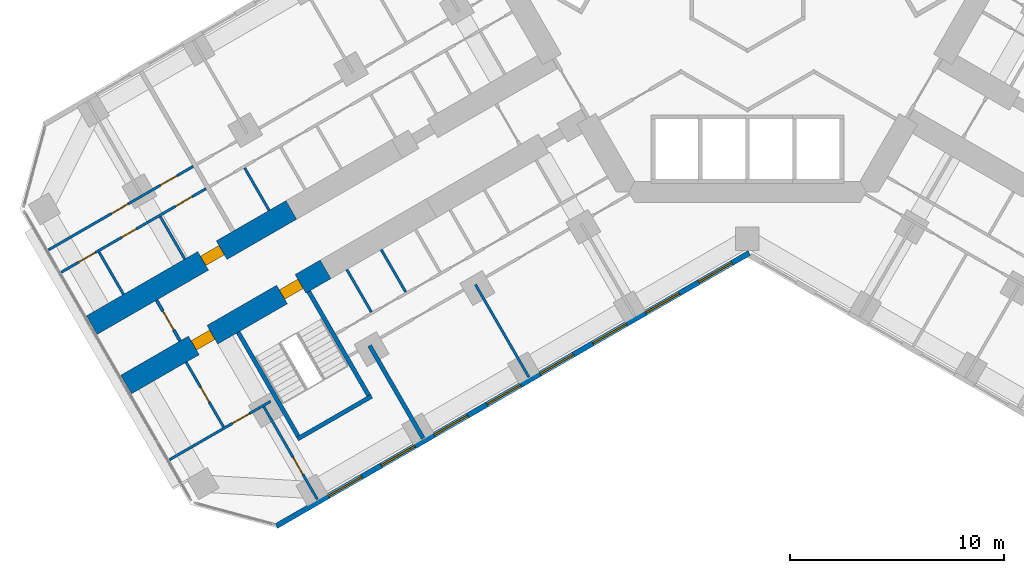
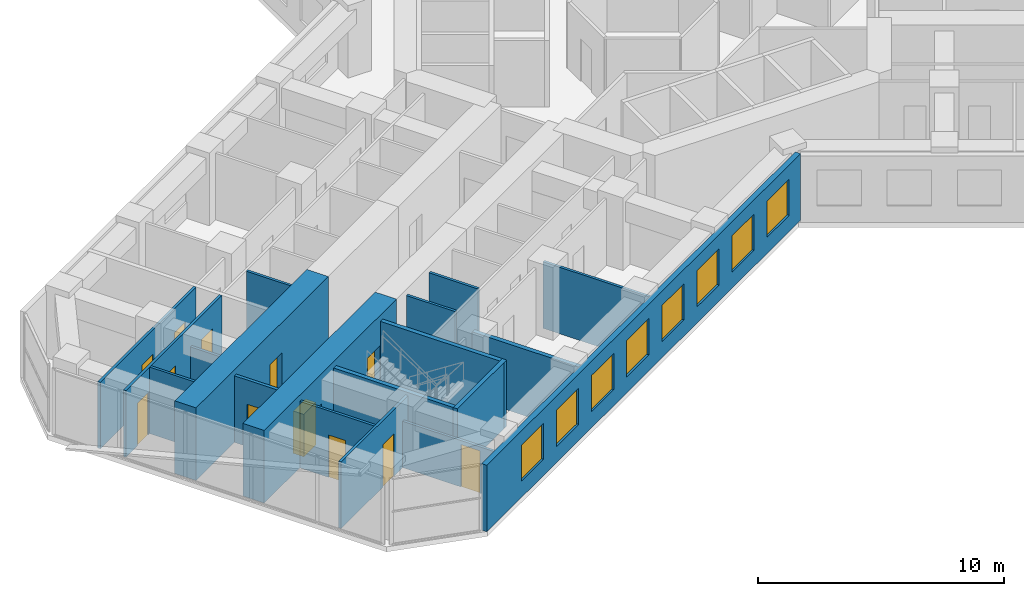
# One storey, part 10 of 21: 19 walls, 12 doors, 8 windows, 20 openings.
"""IFC4 building model written with IfcOpenShell, lengths in metres."""

from ifc_helpers import new_model, si_unit, direction, frame, frame_2d, origin, place, context, subcontext, project, spatial, rectangle, extrude, material, layer, layer_set, type_object, element, fill, save


model = new_model("IFC4")

# Units and contexts
model_context = context("Model", 3, precision=1e-05, world=origin(), true_north=direction((0.0, 1.0)))
body_context = subcontext(model_context, "Body", "Model", "MODEL_VIEW")
ifc_project = project(units=[si_unit("LENGTHUNIT", "METRE"), si_unit("AREAUNIT", "SQUARE_METRE"), si_unit("VOLUMEUNIT", "CUBIC_METRE"), si_unit("PLANEANGLEUNIT", "RADIAN"), si_unit("MASSUNIT", "GRAM", prefix="KILO")], contexts=[model_context])

# Site, building, storey
site_placement = place(None, origin())
site = spatial("IfcSite", under=ifc_project, at=site_placement, CompositionType="ELEMENT")
building_placement = place(site_placement, origin())
building = spatial("IfcBuilding", under=site, at=building_placement, Name="Kosmar Iwan School Tower", CompositionType="ELEMENT")
storey_placement = place(building_placement, frame((0.0, 0.0, 28.800048828125)))
storey = spatial("IfcBuildingStorey", under=building, at=storey_placement, Name="L06", CompositionType="ELEMENT", Elevation=28.800048828125)

# Wall, openings, doors
ifc_material_1 = material(Name="Concrete C50/60", Category="concrete")
ifc_layer_1 = layer(ifc_material_1, 1.0)
ifc_layer_set_1 = layer_set([ifc_layer_1], Name="Corridor buttress wall 1000")
wall_type_1 = type_object("IfcWallType", Name="Corridor buttress wall 1000", PredefinedType="SHEAR", material=ifc_layer_set_1)
wall_1_placement = place(storey_placement, frame((-19.681396484375, -13.210693359375, 0.0), z_axis=(0.0, 0.0, 1.0), x_axis=(-0.866028186671, -0.499995179869, 0.0)))
wall_1 = element("IfcWall", 1, at=wall_1_placement, inside=storey, type_object=wall_type_1, Name="Corridor wall BL bay 3", PredefinedType="SHEAR", context=body_context, shape_type="SweptSolid", body=[
    extrude(rectangle(XDim=10.7451171875, YDim=1.0, at=frame_2d((5.37255859375, 0.0))), origin(), (0.0, 0.0, 1.0), 3.599853515625),
])
opening_1_placement = place(wall_1_placement, frame((6.10009765625, 0.0, 0.0)))
opening_1 = element("IfcOpeningElement", 2, at=opening_1_placement, cuts=wall_1, Name="Opening D1", PredefinedType="OPENING", context=body_context, shape_type="SweptSolid", body=[
    extrude(rectangle(XDim=1.0, YDim=2.10009765625, at=frame_2d((0.5, 1.050048828125))), frame((0.0, 0.511962890625, 0.0), z_axis=(0.0, -1.0, 0.0), x_axis=(1.0, 0.0, 0.0)), (0.0, 0.0, 1.0), 1.02392578125),
])
opening_2_placement = place(wall_1_placement, frame((1.35009765625, 0.0, 0.0)))
opening_2 = element("IfcOpeningElement", 3, at=opening_2_placement, cuts=wall_1, Name="Opening D6", PredefinedType="OPENING", context=body_context, shape_type="SweptSolid", body=[
    extrude(rectangle(XDim=1.0, YDim=2.10009765625, at=frame_2d((0.5, 1.050048828125))), frame((0.0, 0.511962890625, 0.0), z_axis=(0.0, -1.0, 0.0), x_axis=(1.0, 0.0, 0.0)), (0.0, 0.0, 1.0), 1.02392578125),
])
ifc_material_2 = material(Name="Timber fire door in steel frame", Category="steel")
door_type_1 = type_object("IfcDoorType", Name="Flat entrance door 1000x2100", OperationType="SINGLE_SWING_LEFT", PredefinedType="DOOR", material=ifc_material_2)
door_1_placement = place(opening_1_placement, origin())
door_1 = element("IfcDoor", 4, at=door_1_placement, inside=storey, type_object=door_type_1, Name="Flat L06-BL2 entrance door", OperationType="SINGLE_SWING_RIGHT", OverallHeight=2.10009765625, OverallWidth=1.0, PredefinedType="DOOR", context=body_context, shape_type="SweptSolid", body=[
    extrude(rectangle(XDim=1.0, YDim=2.10009765625, at=frame_2d((0.5, 1.050048828125))), frame((0.0, 0.25, 0.0), z_axis=(0.0, -1.0, 0.0), x_axis=(1.0, 0.0, 0.0)), (0.0, 0.0, 1.0), 0.5),
])
fill(opening_1, door_1)
ifc_material_3 = material(Name="Steel fire door", Category="steel")
door_type_2 = type_object("IfcDoorType", Name="Stair door 1000x2100", OperationType="SINGLE_SWING_LEFT", PredefinedType="DOOR", material=ifc_material_3)
door_2_placement = place(opening_2_placement, origin())
door_2 = element("IfcDoor", 5, at=door_2_placement, inside=storey, type_object=door_type_2, Name="Stair WS2 door L06", OperationType="SINGLE_SWING_LEFT", OverallHeight=2.10009765625, OverallWidth=1.0, PredefinedType="DOOR", context=body_context, shape_type="SweptSolid", body=[
    extrude(rectangle(XDim=1.0, YDim=2.10009765625, at=frame_2d((0.5, 1.050048828125))), frame((0.0, 0.25, 0.0), z_axis=(0.0, -1.0, 0.0), x_axis=(1.0, 0.0, 0.0)), (0.0, 0.0, 1.0), 0.5),
])
fill(opening_2, door_2)

# Wall, opening, door
wall_2_placement = place(storey_placement, frame((-21.281494140625, -10.439453125, 0.0), z_axis=(0.0, 0.0, 1.0), x_axis=(-0.866032345022, -0.499987977232, 0.0)))
wall_2 = element("IfcWall", 6, at=wall_2_placement, inside=storey, type_object=wall_type_1, Name="Corridor wall BR bay 3", PredefinedType="SHEAR", context=body_context, shape_type="SweptSolid", body=[
    extrude(rectangle(XDim=10.744873046875, YDim=1.0, at=frame_2d((5.37255859375, 0.0))), origin(), (0.0, 0.0, 1.0), 3.599853515625),
])
opening_3_placement = place(wall_2_placement, frame((3.75, 0.0, 0.0)))
opening_3 = element("IfcOpeningElement", 7, at=opening_3_placement, cuts=wall_2, Name="Opening D1", PredefinedType="OPENING", context=body_context, shape_type="SweptSolid", body=[
    extrude(rectangle(XDim=1.0, YDim=2.10009765625, at=frame_2d((0.5, 1.050048828125))), frame((0.0, 0.511962890625, 0.0), z_axis=(0.0, -1.0, 0.0), x_axis=(1.0, 0.0, 0.0)), (0.0, 0.0, 1.0), 1.02392578125),
])
door_3_placement = place(opening_3_placement, origin())
door_3 = element("IfcDoor", 8, at=door_3_placement, inside=storey, type_object=door_type_1, Name="Flat L06-BR2 entrance door", OperationType="SINGLE_SWING_RIGHT", OverallHeight=2.10009765625, OverallWidth=1.0, PredefinedType="DOOR", context=body_context, shape_type="SweptSolid", body=[
    extrude(rectangle(XDim=1.0, YDim=2.10009765625, at=frame_2d((0.5, 1.050048828125))), frame((0.0, 0.25, 0.0), z_axis=(0.0, -1.0, 0.0), x_axis=(1.0, 0.0, 0.0)), (0.0, 0.0, 1.0), 0.5),
])
fill(opening_3, door_3)

ifc_material_4 = material(Name="Gypsum board on steel studs, fire-rated", Category="steel")
ifc_layer_2 = layer(ifc_material_4, 0.14990234375)
ifc_layer_set_2 = layer_set([ifc_layer_2], Name="Corridor end wall 150")
wall_type_2 = type_object("IfcWallType", Name="Corridor end wall 150", PredefinedType="PARTITIONING", material=ifc_layer_set_2)
wall_3_placement = place(storey_placement, frame((-27.570068359375, -14.6474609375, 0.0), z_axis=(0.0, 0.0, 1.0), x_axis=(0.50002983664, -0.866008176907, 0.0)))
wall_3 = element("IfcWall", 9, at=wall_3_placement, inside=storey, type_object=wall_type_2, Name="Partition L06-B-CE", PredefinedType="PARTITIONING", context=body_context, shape_type="SweptSolid", body=[
    extrude(rectangle(XDim=2.199951171875, YDim=0.14990234375, at=frame_2d((1.10009765625, 0.0))), origin(), (0.0, 0.0, 1.0), 3.300048828125),
])
opening_4_placement = place(wall_3_placement, frame((0.60009765625, 0.0, 0.0)))
opening_4 = element("IfcOpeningElement", 10, at=opening_4_placement, cuts=wall_3, Name="Opening D13", PredefinedType="OPENING", context=body_context, shape_type="SweptSolid", body=[
    extrude(rectangle(XDim=1.0, YDim=2.10009765625, at=frame_2d((0.5, 1.050048828125))), frame((0.0, 0.0869140625, 0.0), z_axis=(0.0, -1.0, 0.0), x_axis=(1.0, 0.0, 0.0)), (0.0, 0.0, 1.0), 0.173828125),
])
ifc_material_5 = material(Name="Timber fire door with vision panel", Category="wood")
door_type_3 = type_object("IfcDoorType", Name="Corridor end door 1000x2100", OperationType="SINGLE_SWING_LEFT", PredefinedType="DOOR", material=ifc_material_5)
door_4_placement = place(opening_4_placement, origin())
door_4 = element("IfcDoor", 11, at=door_4_placement, inside=storey, type_object=door_type_3, Name="Children's play room door L06-B", OperationType="SINGLE_SWING_LEFT", OverallHeight=2.10009765625, OverallWidth=1.0, PredefinedType="DOOR", context=body_context, shape_type="SweptSolid", body=[
    extrude(rectangle(XDim=1.0, YDim=2.10009765625, at=frame_2d((0.5, 1.050048828125))), frame((0.0, 0.02490234375, 0.0), z_axis=(0.0, -1.0, 0.0), x_axis=(1.0, 0.0, 0.0)), (0.0, 0.0, 1.0), 0.050048828125),
])
fill(opening_4, door_4)

# Walls
ifc_material_6 = material(Name="Gypsum board on steel studs", Category="steel")
ifc_layer_3 = layer(ifc_material_6, 0.1201171875)
ifc_layer_set_3 = layer_set([ifc_layer_3], Name="Dwelling partition 120")
wall_type_3 = type_object("IfcWallType", Name="Dwelling partition 120", PredefinedType="PARTITIONING", material=ifc_layer_set_3)
wall_4_placement = place(storey_placement, frame((-12.690185546875, -13.919921875, 0.0), z_axis=(0.0, 0.0, 1.0), x_axis=(0.500011847778, -0.866018563358, 0.0)))
element("IfcWall", 12, at=wall_4_placement, inside=storey, type_object=wall_type_3, Name="Partition L06-BL1-X2", PredefinedType="PARTITIONING", context=body_context, shape_type="SweptSolid", body=[
    extrude(rectangle(XDim=4.990234375, YDim=0.1201171875, at=frame_2d((2.4951171875, 0.0))), origin(), (0.0, 0.0, 1.0), 3.300048828125),
])
for number, where, z_axis, x_axis, name in (
    (13, (-17.086669921875, -12.289794921875, 0.0), (0.0, 0.0, 1.0), (0.500014693593, -0.866016920268, 0.0), "Partition L06-BL1-Y5"),
    (14, (-18.692138671875, -13.216796875, 0.0), (0.0, 0.0, 1.0), (0.500014693593, -0.866016920268, 0.0), "Partition L06-BL1-Y6"),
):
    element("IfcWall", number, at=place(storey_placement, frame(where, z_axis=z_axis, x_axis=x_axis)), inside=storey, type_object=wall_type_3, Name=name, PredefinedType="PARTITIONING", context=body_context, shape_type="SweptSolid", body=[
        extrude(rectangle(XDim=2.2900390625, YDim=0.1201171875, at=frame_2d((1.14501953125, 0.0))), origin(), (0.0, 0.0, 1.0), 3.300048828125),
    ])

# Wall, opening, door
wall_5_placement = place(storey_placement, frame((-22.562744140625, -19.6201171875, 0.0), z_axis=(0.0, 0.0, 1.0), x_axis=(0.499996339024, -0.86602751744, 0.0)))
wall_5 = element("IfcWall", 15, at=wall_5_placement, inside=storey, type_object=wall_type_3, Name="Partition L06-BL2-TX", PredefinedType="PARTITIONING", context=body_context, shape_type="SweptSolid", body=[
    extrude(rectangle(XDim=4.98974609375, YDim=0.1201171875, at=frame_2d((2.494873046875, 0.0))), origin(), (0.0, 0.0, 1.0), 2.300048828125),
])
opening_5_placement = place(wall_5_placement, frame((2.739990234375, 0.0, 0.0)))
opening_5 = element("IfcOpeningElement", 16, at=opening_5_placement, cuts=wall_5, Name="Opening D2", PredefinedType="OPENING", context=body_context, shape_type="SweptSolid", body=[
    extrude(rectangle(XDim=0.89990234375, YDim=2.10009765625, at=frame_2d((0.449951171875, 1.050048828125))), frame((0.0, 0.072021484375, 0.0), z_axis=(0.0, -1.0, 0.0), x_axis=(1.0, 0.0, 0.0)), (0.0, 0.0, 1.0), 0.14404296875),
])
ifc_material_7 = material(Name="Timber door in timber frame", Category="wood")
door_type_4 = type_object("IfcDoorType", Name="Internal door 900x2100", OperationType="SINGLE_SWING_LEFT", PredefinedType="DOOR", material=ifc_material_7)
door_5_placement = place(opening_5_placement, origin())
door_5 = element("IfcDoor", 17, at=door_5_placement, inside=storey, type_object=door_type_4, Name="Bedroom 1 door L06-BL2-T1", OperationType="SINGLE_SWING_RIGHT", OverallHeight=2.10009765625, OverallWidth=0.89990234375, PredefinedType="DOOR", context=body_context, shape_type="SweptSolid", body=[
    extrude(rectangle(XDim=0.89990234375, YDim=2.10009765625, at=frame_2d((0.449951171875, 1.050048828125))), frame((0.0, 0.02490234375, 0.0), z_axis=(0.0, -1.0, 0.0), x_axis=(1.0, 0.0, 0.0)), (0.0, 0.0, 1.0), 0.050048828125),
])
fill(opening_5, door_5)

wall_6_placement = place(storey_placement, frame((-22.246337890625, -19.3681640625, 0.0), z_axis=(0.0, 0.0, 1.0), x_axis=(-0.866035508231, -0.499982498177, 0.0)))
wall_6 = element("IfcWall", 18, at=wall_6_placement, inside=storey, type_object=wall_type_3, Name="Partition L06-BL2-TW", PredefinedType="PARTITIONING", context=body_context, shape_type="SweptSolid", body=[
    extrude(rectangle(XDim=5.445068359375, YDim=0.1201171875, at=frame_2d((2.72265625, 0.0))), origin(), (0.0, 0.0, 1.0), 3.300048828125),
])
opening_6_placement = place(wall_6_placement, frame((1.14990234375, 0.0, 0.0)))
opening_6 = element("IfcOpeningElement", 19, at=opening_6_placement, cuts=wall_6, Name="Opening D2", PredefinedType="OPENING", context=body_context, shape_type="SweptSolid", body=[
    extrude(rectangle(XDim=0.89990234375, YDim=2.10009765625, at=frame_2d((0.449951171875, 1.050048828125))), frame((0.0, 0.072021484375, 0.0), z_axis=(0.0, -1.0, 0.0), x_axis=(1.0, 0.0, 0.0)), (0.0, 0.0, 1.0), 0.14404296875),
])
door_6_placement = place(opening_6_placement, origin())
door_6 = element("IfcDoor", 20, at=door_6_placement, inside=storey, type_object=door_type_4, Name="Entrance hall door L06-BL2-T3", OperationType="SINGLE_SWING_LEFT", OverallHeight=2.10009765625, OverallWidth=0.89990234375, PredefinedType="DOOR", context=body_context, shape_type="SweptSolid", body=[
    extrude(rectangle(XDim=0.89990234375, YDim=2.10009765625, at=frame_2d((0.449951171875, 1.050048828125))), frame((0.0, 0.02490234375, 0.0), z_axis=(0.0, -1.0, 0.0), x_axis=(1.0, 0.0, 0.0)), (0.0, 0.0, 1.0), 0.050048828125),
])
fill(opening_6, door_6)

wall_7_placement = place(storey_placement, frame((-26.1865234375, -17.543701171875, 0.0), z_axis=(0.0, 0.0, 1.0), x_axis=(0.50002117804, -0.866013176292, 0.0)))
wall_7 = element("IfcWall", 21, at=wall_7_placement, inside=storey, type_object=wall_type_3, Name="Partition L06-BL2-TY", PredefinedType="PARTITIONING", context=body_context, shape_type="SweptSolid", body=[
    extrude(rectangle(XDim=3.489990234375, YDim=0.1201171875, at=frame_2d((1.7451171875, 0.0))), origin(), (0.0, 0.0, 1.0), 3.300048828125),
])
opening_7_placement = place(wall_7_placement, frame((1.344970703125, 0.0, 0.0)))
opening_7 = element("IfcOpeningElement", 22, at=opening_7_placement, cuts=wall_7, Name="Opening D3", PredefinedType="OPENING", context=body_context, shape_type="SweptSolid", body=[
    extrude(rectangle(XDim=0.800048828125, YDim=2.10009765625, at=frame_2d((0.39990234375, 1.050048828125))), frame((0.0, 0.072021484375, 0.0), z_axis=(0.0, -1.0, 0.0), x_axis=(1.0, 0.0, 0.0)), (0.0, 0.0, 1.0), 0.14404296875),
])
ifc_material_8 = material(Name="Timber door in timber frame", Category="wood")
door_type_5 = type_object("IfcDoorType", Name="Sanitary room door 800x2100", OperationType="SINGLE_SWING_LEFT", PredefinedType="DOOR", material=ifc_material_8)
door_7_placement = place(opening_7_placement, origin())
door_7 = element("IfcDoor", 23, at=door_7_placement, inside=storey, type_object=door_type_5, Name="Bathroom door L06-BL2-T4", OperationType="SINGLE_SWING_RIGHT", OverallHeight=2.10009765625, OverallWidth=0.800048828125, PredefinedType="DOOR", context=body_context, shape_type="SweptSolid", body=[
    extrude(rectangle(XDim=0.800048828125, YDim=2.10009765625, at=frame_2d((0.39990234375, 1.050048828125))), frame((0.0, 0.02490234375, 0.0), z_axis=(0.0, -1.0, 0.0), x_axis=(1.0, 0.0, 0.0)), (0.0, 0.0, 1.0), 0.050048828125),
])
fill(opening_7, door_7)

# Wall
wall_8_placement = place(storey_placement, frame((-22.315673828125, -10.459228515625, 0.0), z_axis=(0.0, 0.0, 1.0), x_axis=(-0.499968531483, 0.866043571379, 0.0)))
element("IfcWall", 24, at=wall_8_placement, inside=storey, type_object=wall_type_3, Name="Partition L06-BR1-Y7", PredefinedType="PARTITIONING", context=body_context, shape_type="SweptSolid", body=[
    extrude(rectangle(XDim=2.290283203125, YDim=0.1201171875, at=frame_2d((1.14501953125, 0.0))), origin(), (0.0, 0.0, 1.0), 3.300048828125),
])

# Wall, openings, doors
wall_9_placement = place(storey_placement, frame((-25.26123046875, -9.4462890625, 0.0), z_axis=(0.0, 0.0, 1.0), x_axis=(-0.866029639064, -0.499992664208, 0.0)))
wall_9 = element("IfcWall", 25, at=wall_9_placement, inside=storey, type_object=wall_type_3, Name="Partition L06-BR2-W1", PredefinedType="PARTITIONING", context=body_context, shape_type="SweptSolid", body=[
    extrude(rectangle(XDim=7.794921875, YDim=0.1201171875, at=frame_2d((3.8974609375, 0.0))), origin(), (0.0, 0.0, 1.0), 3.300048828125),
])
opening_8_placement = place(wall_9_placement, frame((0.75, 0.0, 0.0)))
opening_8 = element("IfcOpeningElement", 26, at=opening_8_placement, cuts=wall_9, Name="Opening D2", PredefinedType="OPENING", context=body_context, shape_type="SweptSolid", body=[
    extrude(rectangle(XDim=0.89990234375, YDim=2.10009765625, at=frame_2d((0.449951171875, 1.050048828125))), frame((0.0, 0.072021484375, 0.0), z_axis=(0.0, -1.0, 0.0), x_axis=(1.0, 0.0, 0.0)), (0.0, 0.0, 1.0), 0.14404296875),
])
opening_9_placement = place(wall_9_placement, frame((3.75, 0.0, 0.0)))
opening_9 = element("IfcOpeningElement", 27, at=opening_9_placement, cuts=wall_9, Name="Opening D3", PredefinedType="OPENING", context=body_context, shape_type="SweptSolid", body=[
    extrude(rectangle(XDim=0.800048828125, YDim=2.10009765625, at=frame_2d((0.39990234375, 1.050048828125))), frame((0.0, 0.072021484375, 0.0), z_axis=(0.0, -1.0, 0.0), x_axis=(1.0, 0.0, 0.0)), (0.0, 0.0, 1.0), 0.14404296875),
])
opening_10_placement = place(wall_9_placement, frame((5.9599609375, 0.0, 0.0)))
opening_10 = element("IfcOpeningElement", 28, at=opening_10_placement, cuts=wall_9, Name="Opening D2", PredefinedType="OPENING", context=body_context, shape_type="SweptSolid", body=[
    extrude(rectangle(XDim=0.89990234375, YDim=2.10009765625, at=frame_2d((0.449951171875, 1.050048828125))), frame((0.0, 0.072021484375, 0.0), z_axis=(0.0, -1.0, 0.0), x_axis=(1.0, 0.0, 0.0)), (0.0, 0.0, 1.0), 0.14404296875),
])
door_8_placement = place(opening_8_placement, origin())
door_8 = element("IfcDoor", 29, at=door_8_placement, inside=storey, type_object=door_type_4, Name="Entrance hall door L06-BR2-S1", OperationType="SINGLE_SWING_LEFT", OverallHeight=2.10009765625, OverallWidth=0.89990234375, PredefinedType="DOOR", context=body_context, shape_type="SweptSolid", body=[
    extrude(rectangle(XDim=0.89990234375, YDim=2.10009765625, at=frame_2d((0.449951171875, 1.050048828125))), frame((0.0, 0.02490234375, 0.0), z_axis=(0.0, -1.0, 0.0), x_axis=(1.0, 0.0, 0.0)), (0.0, 0.0, 1.0), 0.050048828125),
])
fill(opening_8, door_8)
door_9_placement = place(opening_10_placement, origin())
door_9 = element("IfcDoor", 30, at=door_9_placement, inside=storey, type_object=door_type_4, Name="Pantry door L06-BR2-S3", OperationType="SINGLE_SWING_LEFT", OverallHeight=2.10009765625, OverallWidth=0.89990234375, PredefinedType="DOOR", context=body_context, shape_type="SweptSolid", body=[
    extrude(rectangle(XDim=0.89990234375, YDim=2.10009765625, at=frame_2d((0.449951171875, 1.050048828125))), frame((0.0, 0.02490234375, 0.0), z_axis=(0.0, -1.0, 0.0), x_axis=(1.0, 0.0, 0.0)), (0.0, 0.0, 1.0), 0.050048828125),
])
fill(opening_10, door_9)
door_10_placement = place(opening_9_placement, origin())
door_10 = element("IfcDoor", 31, at=door_10_placement, inside=storey, type_object=door_type_5, Name="Bathroom door L06-BR2-S2", OperationType="SINGLE_SWING_RIGHT", OverallHeight=2.10009765625, OverallWidth=0.800048828125, PredefinedType="DOOR", context=body_context, shape_type="SweptSolid", body=[
    extrude(rectangle(XDim=0.800048828125, YDim=2.10009765625, at=frame_2d((0.39990234375, 1.050048828125))), frame((0.0, 0.02490234375, 0.0), z_axis=(0.0, -1.0, 0.0), x_axis=(1.0, 0.0, 0.0)), (0.0, 0.0, 1.0), 0.050048828125),
])
fill(opening_9, door_10)

wall_10_placement = place(storey_placement, frame((-25.861328125, -8.406982421875, 0.0), z_axis=(0.0, 0.0, 1.0), x_axis=(-0.866029639064, -0.499992664208, 0.0)))
wall_10 = element("IfcWall", 32, at=wall_10_placement, inside=storey, type_object=wall_type_3, Name="Partition L06-BR2-W2", PredefinedType="PARTITIONING", context=body_context, shape_type="SweptSolid", body=[
    extrude(rectangle(XDim=7.794921875, YDim=0.1201171875, at=frame_2d((3.8974609375, 0.0))), origin(), (0.0, 0.0, 1.0), 3.300048828125),
])
opening_11_placement = place(wall_10_placement, frame((0.875, 0.0, 0.0)))
opening_11 = element("IfcOpeningElement", 33, at=opening_11_placement, cuts=wall_10, Name="Opening D2", PredefinedType="OPENING", context=body_context, shape_type="SweptSolid", body=[
    extrude(rectangle(XDim=0.89990234375, YDim=2.10009765625, at=frame_2d((0.449951171875, 1.050048828125))), frame((0.0, 0.072021484375, 0.0), z_axis=(0.0, -1.0, 0.0), x_axis=(1.0, 0.0, 0.0)), (0.0, 0.0, 1.0), 0.14404296875),
])
opening_12_placement = place(wall_10_placement, frame((3.5, 0.0, 0.0)))
opening_12 = element("IfcOpeningElement", 34, at=opening_12_placement, cuts=wall_10, Name="Opening D2", PredefinedType="OPENING", context=body_context, shape_type="SweptSolid", body=[
    extrude(rectangle(XDim=0.89990234375, YDim=2.10009765625, at=frame_2d((0.449951171875, 1.050048828125))), frame((0.0, 0.072021484375, 0.0), z_axis=(0.0, -1.0, 0.0), x_axis=(1.0, 0.0, 0.0)), (0.0, 0.0, 1.0), 0.14404296875),
])
door_11_placement = place(opening_11_placement, origin())
door_11 = element("IfcDoor", 35, at=door_11_placement, inside=storey, type_object=door_type_4, Name="Bedroom 1 door L06-BR2-F1", OperationType="SINGLE_SWING_LEFT", OverallHeight=2.10009765625, OverallWidth=0.89990234375, PredefinedType="DOOR", context=body_context, shape_type="SweptSolid", body=[
    extrude(rectangle(XDim=0.89990234375, YDim=2.10009765625, at=frame_2d((0.449951171875, 1.050048828125))), frame((0.0, 0.02490234375, 0.0), z_axis=(0.0, -1.0, 0.0), x_axis=(1.0, 0.0, 0.0)), (0.0, 0.0, 1.0), 0.050048828125),
])
fill(opening_11, door_11)
door_12_placement = place(opening_12_placement, origin())
door_12 = element("IfcDoor", 36, at=door_12_placement, inside=storey, type_object=door_type_4, Name="Living room and kitchen door L06-BR2-F2", OperationType="SINGLE_SWING_RIGHT", OverallHeight=2.10009765625, OverallWidth=0.89990234375, PredefinedType="DOOR", context=body_context, shape_type="SweptSolid", body=[
    extrude(rectangle(XDim=0.89990234375, YDim=2.10009765625, at=frame_2d((0.449951171875, 1.050048828125))), frame((0.0, 0.02490234375, 0.0), z_axis=(0.0, -1.0, 0.0), x_axis=(1.0, 0.0, 0.0)), (0.0, 0.0, 1.0), 0.050048828125),
])
fill(opening_12, door_12)

# Walls
wall_11_placement = place(storey_placement, frame((-26.251220703125, -12.7314453125, 0.0), z_axis=(0.0, 0.0, 1.0), x_axis=(-0.499968531483, 0.866043571379, 0.0)))
element("IfcWall", 37, at=wall_11_placement, inside=storey, type_object=wall_type_3, Name="Partition L06-BR2-Y1", PredefinedType="PARTITIONING", context=body_context, shape_type="SweptSolid", body=[
    extrude(rectangle(XDim=2.290283203125, YDim=0.1201171875, at=frame_2d((1.14501953125, 0.0))), origin(), (0.0, 0.0, 1.0), 2.300048828125),
])
wall_12_placement = place(storey_placement, frame((-29.109130859375, -14.38134765625, 0.0), z_axis=(0.0, 0.0, 1.0), x_axis=(-0.500014693593, 0.866016920268, 0.0)))
element("IfcWall", 38, at=wall_12_placement, inside=storey, type_object=wall_type_3, Name="Partition L06-BR2-Y2", PredefinedType="PARTITIONING", context=body_context, shape_type="SweptSolid", body=[
    extrude(rectangle(XDim=2.2900390625, YDim=0.1201171875, at=frame_2d((1.14501953125, 0.0))), origin(), (0.0, 0.0, 1.0), 3.300048828125),
])
ifc_material_9 = material(Name="Concrete C35/45", Category="concrete")
ifc_layer_4 = layer(ifc_material_9, 0.199951171875)
ifc_layer_set_4 = layer_set([ifc_layer_4], Name="Escape stair wall 200")
wall_type_4 = type_object("IfcWallType", Name="Escape stair wall 200", PredefinedType="SHEAR", material=ifc_layer_set_4)
for number, where, z_axis, x_axis, name in (
    (39, (-20.470703125, -14.24365234375, 0.0), (0.0, 0.0, 1.0), (0.499987231761, -0.866032775405, 0.0), "Stair WS2 wall"),
    (40, (-23.76171875, -16.1435546875, 0.0), (0.0, 0.0, 1.0), (0.500018801468, -0.86601454848, 0.0), "Stair WS2 wall"),
):
    element("IfcWall", number, at=place(storey_placement, frame(where, z_axis=z_axis, x_axis=x_axis)), inside=storey, type_object=wall_type_4, Name=name, PredefinedType="SHEAR", context=body_context, shape_type="SweptSolid", body=[
        extrude(rectangle(XDim=5.800048828125, YDim=0.199951171875, at=frame_2d((2.89990234375, 0.0))), origin(), (0.0, 0.0, 1.0), 3.280029296875),
    ])
wall_13_placement = place(storey_placement, frame((-17.5341796875, -19.1298828125, 0.0), z_axis=(0.0, 0.0, 1.0), x_axis=(-0.866026010844, -0.49999894854, 0.0)))
element("IfcWall", 41, at=wall_13_placement, inside=storey, type_object=wall_type_4, Name="Stair WS2 wall", PredefinedType="SHEAR", context=body_context, shape_type="SweptSolid", body=[
    extrude(rectangle(XDim=4.0, YDim=0.199951171875, at=frame_2d((2.0, 0.0))), origin(), (0.0, 0.0, 1.0), 3.280029296875),
])

# Wall, openings, windows
ifc_material_10 = material(Name="Black aluminium rainscreen on insulated framing", Category="aluminium")
ifc_layer_5 = layer(ifc_material_10, 0.25)
ifc_layer_set_5 = layer_set([ifc_layer_5], Name="External wall rainscreen 250")
wall_type_5 = type_object("IfcWallType", Name="External wall rainscreen 250", PredefinedType="SOLIDWALL", material=ifc_layer_set_5)
wall_14_placement = place(storey_placement, frame((0.088134765625, -12.44873046875, 0.0), z_axis=(0.0, 0.0, 1.0), x_axis=(-0.866026390279, -0.499998291337, 0.0)))
wall_14 = element("IfcWall", 42, at=wall_14_placement, inside=storey, type_object=wall_type_5, Name="External wall BL L06", PredefinedType="SOLIDWALL", context=body_context, shape_type="SweptSolid", body=[
    extrude(rectangle(XDim=25.4873046875, YDim=0.25, at=frame_2d((12.74365234375, 0.0))), origin(), (0.0, 0.0, 1.0), 3.300048828125),
])
opening_13_placement = place(wall_14_placement, frame((0.927001953125, 0.0, 0.800048828125)))
opening_13 = element("IfcOpeningElement", 43, at=opening_13_placement, cuts=wall_14, Name="Opening W1", PredefinedType="OPENING", context=body_context, shape_type="SweptSolid", body=[
    extrude(rectangle(XDim=1.800048828125, YDim=1.800048828125, at=frame_2d((0.89990234375, 0.89990234375))), frame((0.0, 0.136962890625, 0.0), z_axis=(0.0, -1.0, 0.0), x_axis=(1.0, 0.0, 0.0)), (0.0, 0.0, 1.0), 0.27392578125),
])
opening_14_placement = place(wall_14_placement, frame((3.777099609375, 0.0, 0.800048828125)))
opening_14 = element("IfcOpeningElement", 44, at=opening_14_placement, cuts=wall_14, Name="Opening W1", PredefinedType="OPENING", context=body_context, shape_type="SweptSolid", body=[
    extrude(rectangle(XDim=1.800048828125, YDim=1.800048828125, at=frame_2d((0.89990234375, 0.89990234375))), frame((0.0, 0.136962890625, 0.0), z_axis=(0.0, -1.0, 0.0), x_axis=(1.0, 0.0, 0.0)), (0.0, 0.0, 1.0), 0.27392578125),
])
opening_15_placement = place(wall_14_placement, frame((6.626953125, 0.0, 0.800048828125)))
opening_15 = element("IfcOpeningElement", 45, at=opening_15_placement, cuts=wall_14, Name="Opening W1", PredefinedType="OPENING", context=body_context, shape_type="SweptSolid", body=[
    extrude(rectangle(XDim=1.800048828125, YDim=1.800048828125, at=frame_2d((0.89990234375, 0.89990234375))), frame((0.0, 0.136962890625, 0.0), z_axis=(0.0, -1.0, 0.0), x_axis=(1.0, 0.0, 0.0)), (0.0, 0.0, 1.0), 0.27392578125),
])
opening_16_placement = place(wall_14_placement, frame((9.47705078125, 0.0, 0.800048828125)))
opening_16 = element("IfcOpeningElement", 46, at=opening_16_placement, cuts=wall_14, Name="Opening W1", PredefinedType="OPENING", context=body_context, shape_type="SweptSolid", body=[
    extrude(rectangle(XDim=1.800048828125, YDim=1.800048828125, at=frame_2d((0.89990234375, 0.89990234375))), frame((0.0, 0.136962890625, 0.0), z_axis=(0.0, -1.0, 0.0), x_axis=(1.0, 0.0, 0.0)), (0.0, 0.0, 1.0), 0.27392578125),
])
opening_17_placement = place(wall_14_placement, frame((12.326904296875, 0.0, 0.800048828125)))
opening_17 = element("IfcOpeningElement", 47, at=opening_17_placement, cuts=wall_14, Name="Opening W1", PredefinedType="OPENING", context=body_context, shape_type="SweptSolid", body=[
    extrude(rectangle(XDim=1.800048828125, YDim=1.800048828125, at=frame_2d((0.89990234375, 0.89990234375))), frame((0.0, 0.136962890625, 0.0), z_axis=(0.0, -1.0, 0.0), x_axis=(1.0, 0.0, 0.0)), (0.0, 0.0, 1.0), 0.27392578125),
])
opening_18_placement = place(wall_14_placement, frame((15.177001953125, 0.0, 0.800048828125)))
opening_18 = element("IfcOpeningElement", 48, at=opening_18_placement, cuts=wall_14, Name="Opening W1", PredefinedType="OPENING", context=body_context, shape_type="SweptSolid", body=[
    extrude(rectangle(XDim=1.800048828125, YDim=1.800048828125, at=frame_2d((0.89990234375, 0.89990234375))), frame((0.0, 0.136962890625, 0.0), z_axis=(0.0, -1.0, 0.0), x_axis=(1.0, 0.0, 0.0)), (0.0, 0.0, 1.0), 0.27392578125),
])
opening_19_placement = place(wall_14_placement, frame((18.027099609375, 0.0, 0.800048828125)))
opening_19 = element("IfcOpeningElement", 49, at=opening_19_placement, cuts=wall_14, Name="Opening W1", PredefinedType="OPENING", context=body_context, shape_type="SweptSolid", body=[
    extrude(rectangle(XDim=1.800048828125, YDim=1.800048828125, at=frame_2d((0.89990234375, 0.89990234375))), frame((0.0, 0.136962890625, 0.0), z_axis=(0.0, -1.0, 0.0), x_axis=(1.0, 0.0, 0.0)), (0.0, 0.0, 1.0), 0.27392578125),
])
opening_20_placement = place(wall_14_placement, frame((20.876953125, 0.0, 0.800048828125)))
opening_20 = element("IfcOpeningElement", 50, at=opening_20_placement, cuts=wall_14, Name="Opening W1", PredefinedType="OPENING", context=body_context, shape_type="SweptSolid", body=[
    extrude(rectangle(XDim=1.800048828125, YDim=1.800048828125, at=frame_2d((0.89990234375, 0.89990234375))), frame((0.0, 0.136962890625, 0.0), z_axis=(0.0, -1.0, 0.0), x_axis=(1.0, 0.0, 0.0)), (0.0, 0.0, 1.0), 0.27392578125),
])
ifc_material_11 = material(Name="Black aluminium frame with dark triple glazing", Category="aluminium")
window_type = type_object("IfcWindowType", Name="Window 1800x1800", PartitioningType="SINGLE_PANEL", PredefinedType="WINDOW", material=ifc_material_11)
window_1_placement = place(opening_13_placement, origin())
window_1 = element("IfcWindow", 51, at=window_1_placement, inside=storey, type_object=window_type, Name="Window BL L06 -1", OverallHeight=1.800048828125, OverallWidth=1.800048828125, PartitioningType="SINGLE_PANEL", PredefinedType="WINDOW", context=body_context, shape_type="SweptSolid", body=[
    extrude(rectangle(XDim=1.800048828125, YDim=1.800048828125, at=frame_2d((0.89990234375, 0.89990234375))), frame((0.0, 0.030029296875, 0.0), z_axis=(0.0, -1.0, 0.0), x_axis=(1.0, 0.0, 0.0)), (0.0, 0.0, 1.0), 0.06005859375),
])
fill(opening_13, window_1)
window_2_placement = place(opening_14_placement, origin())
window_2 = element("IfcWindow", 52, at=window_2_placement, inside=storey, type_object=window_type, Name="Window BL L06 0", OverallHeight=1.800048828125, OverallWidth=1.800048828125, PartitioningType="SINGLE_PANEL", PredefinedType="WINDOW", context=body_context, shape_type="SweptSolid", body=[
    extrude(rectangle(XDim=1.800048828125, YDim=1.800048828125, at=frame_2d((0.89990234375, 0.89990234375))), frame((0.0, 0.030029296875, 0.0), z_axis=(0.0, -1.0, 0.0), x_axis=(1.0, 0.0, 0.0)), (0.0, 0.0, 1.0), 0.06005859375),
])
fill(opening_14, window_2)
window_3_placement = place(opening_15_placement, origin())
window_3 = element("IfcWindow", 53, at=window_3_placement, inside=storey, type_object=window_type, Name="Window BL L06 1", OverallHeight=1.800048828125, OverallWidth=1.800048828125, PartitioningType="SINGLE_PANEL", PredefinedType="WINDOW", context=body_context, shape_type="SweptSolid", body=[
    extrude(rectangle(XDim=1.800048828125, YDim=1.800048828125, at=frame_2d((0.89990234375, 0.89990234375))), frame((0.0, 0.030029296875, 0.0), z_axis=(0.0, -1.0, 0.0), x_axis=(1.0, 0.0, 0.0)), (0.0, 0.0, 1.0), 0.06005859375),
])
fill(opening_15, window_3)
window_4_placement = place(opening_16_placement, origin())
window_4 = element("IfcWindow", 54, at=window_4_placement, inside=storey, type_object=window_type, Name="Window BL L06 2", OverallHeight=1.800048828125, OverallWidth=1.800048828125, PartitioningType="SINGLE_PANEL", PredefinedType="WINDOW", context=body_context, shape_type="SweptSolid", body=[
    extrude(rectangle(XDim=1.800048828125, YDim=1.800048828125, at=frame_2d((0.89990234375, 0.89990234375))), frame((0.0, 0.030029296875, 0.0), z_axis=(0.0, -1.0, 0.0), x_axis=(1.0, 0.0, 0.0)), (0.0, 0.0, 1.0), 0.06005859375),
])
fill(opening_16, window_4)
window_5_placement = place(opening_17_placement, origin())
window_5 = element("IfcWindow", 55, at=window_5_placement, inside=storey, type_object=window_type, Name="Window BL L06 3", OverallHeight=1.800048828125, OverallWidth=1.800048828125, PartitioningType="SINGLE_PANEL", PredefinedType="WINDOW", context=body_context, shape_type="SweptSolid", body=[
    extrude(rectangle(XDim=1.800048828125, YDim=1.800048828125, at=frame_2d((0.89990234375, 0.89990234375))), frame((0.0, 0.030029296875, 0.0), z_axis=(0.0, -1.0, 0.0), x_axis=(1.0, 0.0, 0.0)), (0.0, 0.0, 1.0), 0.06005859375),
])
fill(opening_17, window_5)
window_6_placement = place(opening_18_placement, origin())
window_6 = element("IfcWindow", 56, at=window_6_placement, inside=storey, type_object=window_type, Name="Window BL L06 4", OverallHeight=1.800048828125, OverallWidth=1.800048828125, PartitioningType="SINGLE_PANEL", PredefinedType="WINDOW", context=body_context, shape_type="SweptSolid", body=[
    extrude(rectangle(XDim=1.800048828125, YDim=1.800048828125, at=frame_2d((0.89990234375, 0.89990234375))), frame((0.0, 0.030029296875, 0.0), z_axis=(0.0, -1.0, 0.0), x_axis=(1.0, 0.0, 0.0)), (0.0, 0.0, 1.0), 0.06005859375),
])
fill(opening_18, window_6)
window_7_placement = place(opening_19_placement, origin())
window_7 = element("IfcWindow", 57, at=window_7_placement, inside=storey, type_object=window_type, Name="Window BL L06 5", OverallHeight=1.800048828125, OverallWidth=1.800048828125, PartitioningType="SINGLE_PANEL", PredefinedType="WINDOW", context=body_context, shape_type="SweptSolid", body=[
    extrude(rectangle(XDim=1.800048828125, YDim=1.800048828125, at=frame_2d((0.89990234375, 0.89990234375))), frame((0.0, 0.030029296875, 0.0), z_axis=(0.0, -1.0, 0.0), x_axis=(1.0, 0.0, 0.0)), (0.0, 0.0, 1.0), 0.06005859375),
])
fill(opening_19, window_7)
window_8_placement = place(opening_20_placement, origin())
window_8 = element("IfcWindow", 58, at=window_8_placement, inside=storey, type_object=window_type, Name="Window BL L06 6", OverallHeight=1.800048828125, OverallWidth=1.800048828125, PartitioningType="SINGLE_PANEL", PredefinedType="WINDOW", context=body_context, shape_type="SweptSolid", body=[
    extrude(rectangle(XDim=1.800048828125, YDim=1.800048828125, at=frame_2d((0.89990234375, 0.89990234375))), frame((0.0, 0.030029296875, 0.0), z_axis=(0.0, -1.0, 0.0), x_axis=(1.0, 0.0, 0.0)), (0.0, 0.0, 1.0), 0.06005859375),
])
fill(opening_20, window_8)

# Wall
ifc_material_12 = material(Name="Concrete block masonry", Category="masonry")
ifc_layer_6 = layer(ifc_material_12, 0.199951171875)
ifc_layer_set_6 = layer_set([ifc_layer_6], Name="Party wall 200")
wall_type_6 = type_object("IfcWallType", Name="Party wall 200", PredefinedType="PARTITIONING", material=ifc_layer_set_6)
wall_15_placement = place(storey_placement, frame((-17.62646484375, -16.77001953125, 0.0), z_axis=(0.0, 0.0, 1.0), x_axis=(0.499975153383, -0.86603974851, 0.0)))
element("IfcWall", 59, at=wall_15_placement, inside=storey, type_object=wall_type_6, Name="Partition L06-BL2-TB", PredefinedType="PARTITIONING", context=body_context, shape_type="SweptSolid", body=[
    extrude(rectangle(XDim=4.989990234375, YDim=0.199951171875, at=frame_2d((2.4951171875, 0.0))), origin(), (0.0, 0.0, 1.0), 3.300048828125),
])

save(model, "model.ifc")
